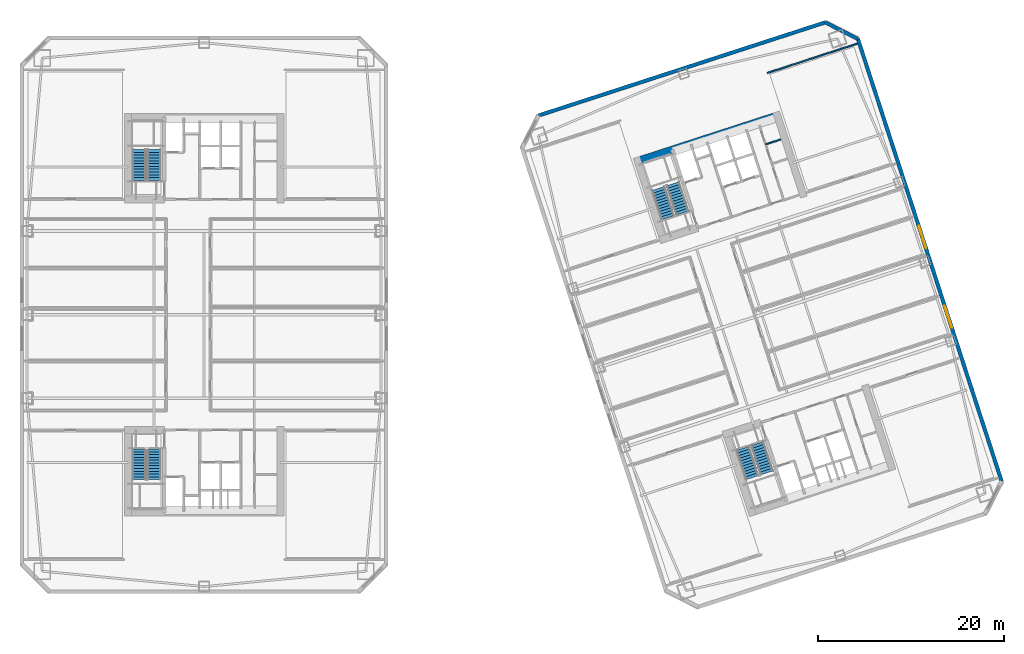
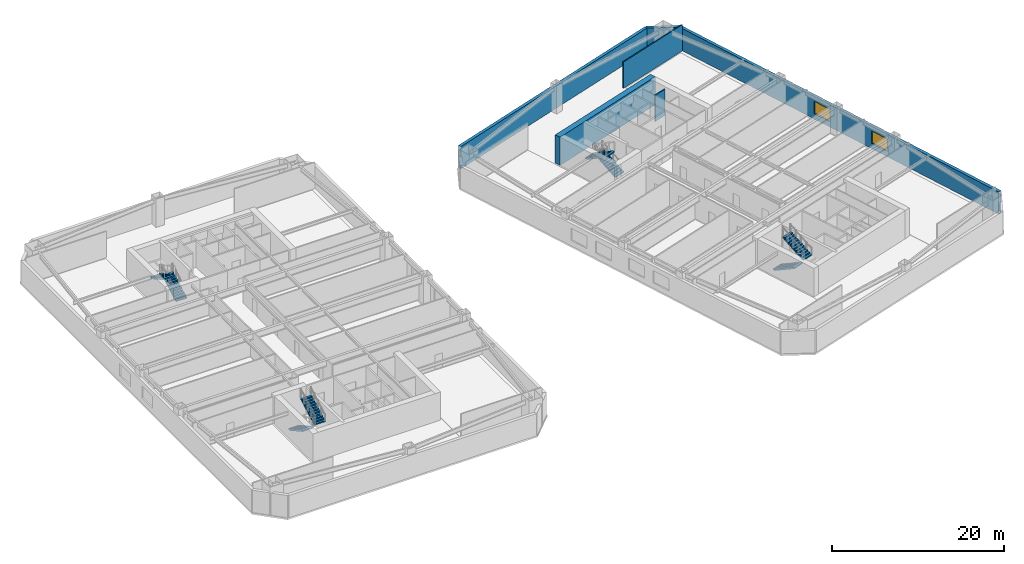
# One storey, part 15 of 24: 8 stair flights, 6 walls, 2 windows, 2 openings, 4 elements without a shape of their own.
"""IFC4 building model written with IfcOpenShell, lengths in metres."""

from ifc_helpers import new_model, si_unit, direction, frame, frame_2d, origin, place, context, subcontext, project, spatial, polyline, rectangle, outline, extrude, material, layer, layer_set, type_object, element, fill, aggregate, save


model = new_model("IFC4")

# Units and contexts
model_context = context("Model", 3, precision=1e-05, world=origin(), true_north=direction((0.0, 1.0)))
body_context = subcontext(model_context, "Body", "Model", "MODEL_VIEW")
ifc_project = project(units=[si_unit("LENGTHUNIT", "METRE"), si_unit("AREAUNIT", "SQUARE_METRE"), si_unit("VOLUMEUNIT", "CUBIC_METRE"), si_unit("PLANEANGLEUNIT", "RADIAN"), si_unit("MASSUNIT", "GRAM", prefix="KILO")], contexts=[model_context])

# Site, building, storey
site_placement = place(None, origin())
site = spatial("IfcSite", under=ifc_project, at=site_placement, CompositionType="ELEMENT")
building_placement = place(site_placement, origin())
building = spatial("IfcBuilding", under=site, at=building_placement, Name="Qiaolan Cultural Towers", CompositionType="ELEMENT")
storey_placement = place(building_placement, frame((0.0, 0.0, 30.0)))
storey = spatial("IfcBuildingStorey", under=building, at=storey_placement, Name="L06", CompositionType="ELEMENT", Elevation=30.0)

# Walls
ifc_material_1 = material(Name="Concrete C60", Category="concrete")
ifc_layer_1 = layer(ifc_material_1, 0.75)
ifc_layer_set_1 = layer_set([ifc_layer_1], Name="Concrete C60")
wall_type_1 = type_object("IfcWallType", Name="WL-CORE-750", PredefinedType="SHEAR", material=ifc_layer_set_1)
wall_1_placement = place(storey_placement, frame((76.27197265625, 50.442626953125, 0.0), z_axis=(0.0, 0.0, 1.0), x_axis=(0.951056072937, 0.309018358888, 0.0)))
element("IfcWall", 1, at=wall_1_placement, inside=storey, type_object=wall_type_1, Name="L06 T2-CN Outer Core Shear Wall", PredefinedType="SHEAR", context=body_context, shape_type="SweptSolid", body=[
    extrude(rectangle(XDim=16.550048828125, YDim=0.75, at=frame_2d((8.27490234375, 0.0))), origin(), (0.0, 0.0, 1.0), 4.0),
])
ifc_material_2 = material(Name="Precast Concrete C50 Honed Stone Pier", Category="masonry")
ifc_layer_2 = layer(ifc_material_2, 0.39990234375)
ifc_layer_set_2 = layer_set([ifc_layer_2], Name="Precast Concrete C50 Honed Stone Pier")
wall_type_2 = type_object("IfcWallType", Name="WL-EXT-PIER-400", PredefinedType="SOLIDWALL", material=ifc_layer_set_2)
wall_2_placement = place(storey_placement, frame((66.002197265625, 55.433349609375, 0.0), z_axis=(0.0, 0.0, 1.0), x_axis=(0.951055939317, 0.309018770125, 0.0)))
element("IfcWall", 2, at=wall_2_placement, inside=storey, type_object=wall_type_2, Name="L06 East Tower Precast Pier Facade Wall F3", PredefinedType="SOLIDWALL", context=body_context, shape_type="SweptSolid", body=[
    extrude(rectangle(XDim=32.39990234375, YDim=0.39990234375, at=frame_2d((16.199951171875, 0.0))), origin(), (0.0, 0.0, 1.0), 3.159912109375),
])
wall_3_placement = place(storey_placement, frame((96.81640625, 65.445556640625, 0.0), z_axis=(0.0, 0.0, 1.0), x_axis=(0.890998089617, -0.454007053137, 0.0)))
element("IfcWall", 3, at=wall_3_placement, inside=storey, type_object=wall_type_2, Name="L06 East Tower Precast Pier Facade Wall F4", PredefinedType="SOLIDWALL", context=body_context, shape_type="SweptSolid", body=[
    extrude(rectangle(XDim=3.9599609375, YDim=0.39990234375, at=frame_2d((1.97998046875, 0.0))), origin(), (0.0, 0.0, 1.0), 3.159912109375),
])

# Wall, openings, windows
wall_4_placement = place(storey_placement, frame((100.3447265625, 63.647705078125, 0.0), z_axis=(0.0, 0.0, 1.0), x_axis=(0.309014526607, -0.951057318118, 0.0)))
wall_4 = element("IfcWall", 4, at=wall_4_placement, inside=storey, type_object=wall_type_2, Name="L06 East Tower Precast Pier Facade Wall F5", PredefinedType="SOLIDWALL", context=body_context, shape_type="SweptSolid", body=[
    extrude(rectangle(XDim=49.999755859375, YDim=0.39990234375, at=frame_2d((25.0, 0.0))), origin(), (0.0, 0.0, 1.0), 3.159912109375),
])
opening_1_placement = place(wall_4_placement, frame((30.14990234375, 0.0, 0.75)))
opening_1 = element("IfcOpeningElement", 5, at=opening_1_placement, cuts=wall_4, Name="Opening W-01", PredefinedType="OPENING", context=body_context, shape_type="SweptSolid", body=[
    extrude(rectangle(XDim=2.5, YDim=1.75, at=frame_2d((1.25, 0.875))), frame((0.0, 0.2099609375, 0.0), z_axis=(0.0, -1.0, 0.0), x_axis=(1.0, 0.0, 0.0)), (0.0, 0.0, 1.0), 0.419921875),
])
opening_2_placement = place(wall_4_placement, frame((21.14990234375, 0.0, 0.75)))
opening_2 = element("IfcOpeningElement", 6, at=opening_2_placement, cuts=wall_4, Name="Opening W-01", PredefinedType="OPENING", context=body_context, shape_type="SweptSolid", body=[
    extrude(rectangle(XDim=2.5, YDim=1.75, at=frame_2d((1.25, 0.875))), frame((0.0, 0.2099609375, 0.0), z_axis=(0.0, -1.0, 0.0), x_axis=(1.0, 0.0, 0.0)), (0.0, 0.0, 1.0), 0.419921875),
])
ifc_material_3 = material(Name="Thermally Broken Aluminium Triple Low-E Glazing", Category="aluminium")
window_type = type_object("IfcWindowType", Name="WN-CHIC-2500", PartitioningType="SINGLE_PANEL", PredefinedType="WINDOW", material=ifc_material_3)
window_1_placement = place(opening_1_placement, origin())
window_1 = element("IfcWindow", 7, at=window_1_placement, inside=storey, type_object=window_type, Name="L06 T2 E Chicago Bay Window 1", OverallHeight=1.75, OverallWidth=2.5, PartitioningType="TRIPLE_PANEL_VERTICAL", PredefinedType="WINDOW", context=body_context, shape_type="SweptSolid", body=[
    extrude(rectangle(XDim=2.5, YDim=1.75, at=frame_2d((1.25, 0.875))), frame((0.0, 0.030029296875, 0.0), z_axis=(0.0, -1.0, 0.0), x_axis=(1.0, 0.0, 0.0)), (0.0, 0.0, 1.0), 0.06005859375),
])
fill(opening_1, window_1)
window_2_placement = place(opening_2_placement, origin())
window_2 = element("IfcWindow", 8, at=window_2_placement, inside=storey, type_object=window_type, Name="L06 T2 E Chicago Bay Window 2", OverallHeight=1.75, OverallWidth=2.5, PartitioningType="TRIPLE_PANEL_VERTICAL", PredefinedType="WINDOW", context=body_context, shape_type="SweptSolid", body=[
    extrude(rectangle(XDim=2.5, YDim=1.75, at=frame_2d((1.25, 0.875))), frame((0.0, 0.030029296875, 0.0), z_axis=(0.0, -1.0, 0.0), x_axis=(1.0, 0.0, 0.0)), (0.0, 0.0, 1.0), 0.06005859375),
])
fill(opening_2, window_2)

# Walls
ifc_material_4 = material(Name="Autoclaved Aerated Concrete Block B06", Category="concrete")
ifc_layer_3 = layer(ifc_material_4, 0.14990234375)
ifc_layer_set_3 = layer_set([ifc_layer_3], Name="Autoclaved Aerated Concrete Block B06")
wall_type_3 = type_object("IfcWallType", Name="WL-PART-150", PredefinedType="PARTITIONING", material=ifc_layer_set_3)
wall_5_placement = place(storey_placement, frame((90.407958984375, 52.32275390625, 0.0), z_axis=(0.0, 0.0, 1.0), x_axis=(0.951040401051, 0.309066587596, 0.0)))
element("IfcWall", 9, at=wall_5_placement, inside=storey, type_object=wall_type_3, Name="L06 T2-CN Restroom Split Wall 2", PredefinedType="PARTITIONING", context=body_context, shape_type="SweptSolid", body=[
    extrude(rectangle(XDim=1.699951171875, YDim=0.14990234375, at=frame_2d((0.85009765625, 0.0))), origin(), (0.0, 0.0, 1.0), 3.72509765625),
])
wall_6_placement = place(storey_placement, frame((90.5927734375, 60.006103515625, 0.0), z_axis=(0.0, 0.0, 1.0), x_axis=(0.951059043131, 0.309009217467, 0.0)))
element("IfcWall", 10, at=wall_6_placement, inside=storey, type_object=wall_type_3, Name="L06 T2 Flank Wall FLK-NE", PredefinedType="PARTITIONING", context=body_context, shape_type="SweptSolid", body=[
    extrude(rectangle(XDim=10.199951171875, YDim=0.14990234375, at=frame_2d((5.10009765625, 0.0))), origin(), (0.0, 0.0, 1.0), 3.72509765625),
])

# Stair, stair flights
ifc_material_5 = material(Name="Concrete C45", Category="concrete")
stair_type = type_object("IfcStairType", Name="STR-CORE-1500", PredefinedType="HALF_TURN_STAIR", material=ifc_material_5)
stair_1_placement = place(storey_placement, origin())
stair_1 = element("IfcStair", 11, at=stair_1_placement, inside=storey, type_object=stair_type, Name="L06 Smokeproof Exit Stair ST-W1", PredefinedType="HALF_TURN_STAIR")
ifc_material_6 = material(Name="Concrete C45", Category="concrete")
stair_flight_type = type_object("IfcStairFlightType", Name="STR-CORE-1500-FL", PredefinedType="STRAIGHT", material=ifc_material_6)
stair_flight_1_placement = place(storey_placement, frame((23.02001953125, 19.550048828125, 0.0), z_axis=(0.0, 0.0, 1.0), x_axis=(0.0, -1.0, 0.0)))
stair_flight_1 = element("IfcStairFlight", 12, at=stair_flight_1_placement, type_object=stair_flight_type, Name="ST-W1 flight 1", NumberOfRisers=12, NumberOfTreads=11, PredefinedType="STRAIGHT", RiserHeight=0.166666667, TreadLength=0.3, context=body_context, shape_type="SweptSolid", body=[
    extrude(outline(polyline([(0.0, 0.0), (0.0, 0.166748046875), (0.300048828125, 0.166748046875), (0.300048828125, 0.333251953125), (0.60009765625, 0.333251953125), (0.60009765625, 0.5), (0.89990234375, 0.5), (0.89990234375, 0.666748046875), (1.199951171875, 0.666748046875), (1.199951171875, 0.833251953125), (1.5, 0.833251953125), (1.5, 1.0), (1.800048828125, 1.0), (1.800048828125, 1.166748046875), (2.10009765625, 1.166748046875), (2.10009765625, 1.333251953125), (2.39990234375, 1.333251953125), (2.39990234375, 1.5), (2.699951171875, 1.5), (2.699951171875, 1.666748046875), (3.0, 1.666748046875), (3.0, 1.833251953125), (3.300048828125, 1.833251953125), (3.300048828125, 2.0), (3.300048828125, 1.661865234375), (0.30859375, 0.0), (0.0, 0.0)])), frame((0.0, 0.719970703125, 0.0), z_axis=(0.0, -1.0, 0.0), x_axis=(1.0, 0.0, 0.0)), (0.0, 0.0, 1.0), 1.43994140625),
])
stair_flight_2_placement = place(storey_placement, frame((24.659912109375, 16.25, 2.0), z_axis=(0.0, 0.0, 1.0), x_axis=(0.0, 1.0, 0.0)))
stair_flight_2 = element("IfcStairFlight", 13, at=stair_flight_2_placement, type_object=stair_flight_type, Name="ST-W1 flight 2", NumberOfRisers=12, NumberOfTreads=11, PredefinedType="STRAIGHT", RiserHeight=0.166666667, TreadLength=0.3, context=body_context, shape_type="SweptSolid", body=[
    extrude(outline(polyline([(0.0, 0.0), (0.0, 0.166748046875), (0.300048828125, 0.166748046875), (0.300048828125, 0.333251953125), (0.60009765625, 0.333251953125), (0.60009765625, 0.5), (0.89990234375, 0.5), (0.89990234375, 0.666748046875), (1.199951171875, 0.666748046875), (1.199951171875, 0.833251953125), (1.5, 0.833251953125), (1.5, 1.0), (1.800048828125, 1.0), (1.800048828125, 1.166748046875), (2.10009765625, 1.166748046875), (2.10009765625, 1.333251953125), (2.39990234375, 1.333251953125), (2.39990234375, 1.5), (2.699951171875, 1.5), (2.699951171875, 1.666748046875), (3.0, 1.666748046875), (3.0, 1.833251953125), (3.300048828125, 1.833251953125), (3.300048828125, 2.0), (3.300048828125, 1.661865234375), (0.30859375, 0.0), (0.0, 0.0)])), frame((0.0, 0.719970703125, 0.0), z_axis=(0.0, -1.0, 0.0), x_axis=(1.0, 0.0, 0.0)), (0.0, 0.0, 1.0), 1.43994140625),
])
aggregate(stair_1, [stair_flight_1, stair_flight_2])

stair_2_placement = place(storey_placement, origin())
stair_2 = element("IfcStair", 14, at=stair_2_placement, inside=storey, type_object=stair_type, Name="L06 Smokeproof Exit Stair ST-W2", PredefinedType="HALF_TURN_STAIR")
stair_flight_3_placement = place(storey_placement, frame((24.659912109375, 48.449951171875, 0.0), z_axis=(0.0, 0.0, 1.0), x_axis=(0.0, 1.0, 0.0)))
stair_flight_3 = element("IfcStairFlight", 15, at=stair_flight_3_placement, type_object=stair_flight_type, Name="ST-W2 flight 1", NumberOfRisers=12, NumberOfTreads=11, PredefinedType="STRAIGHT", RiserHeight=0.166666667, TreadLength=0.3, context=body_context, shape_type="SweptSolid", body=[
    extrude(outline(polyline([(0.0, 0.0), (0.0, 0.166748046875), (0.300048828125, 0.166748046875), (0.300048828125, 0.333251953125), (0.60009765625, 0.333251953125), (0.60009765625, 0.5), (0.89990234375, 0.5), (0.89990234375, 0.666748046875), (1.199951171875, 0.666748046875), (1.199951171875, 0.833251953125), (1.5, 0.833251953125), (1.5, 1.0), (1.800048828125, 1.0), (1.800048828125, 1.166748046875), (2.10009765625, 1.166748046875), (2.10009765625, 1.333251953125), (2.39990234375, 1.333251953125), (2.39990234375, 1.5), (2.699951171875, 1.5), (2.699951171875, 1.666748046875), (3.0, 1.666748046875), (3.0, 1.833251953125), (3.300048828125, 1.833251953125), (3.300048828125, 2.0), (3.300048828125, 1.661865234375), (0.30859375, 0.0), (0.0, 0.0)])), frame((0.0, 0.719970703125, 0.0), z_axis=(0.0, -1.0, 0.0), x_axis=(1.0, 0.0, 0.0)), (0.0, 0.0, 1.0), 1.43994140625),
])
stair_flight_4_placement = place(storey_placement, frame((23.02001953125, 51.75, 2.0), z_axis=(0.0, 0.0, 1.0), x_axis=(0.0, -1.0, 0.0)))
stair_flight_4 = element("IfcStairFlight", 16, at=stair_flight_4_placement, type_object=stair_flight_type, Name="ST-W2 flight 2", NumberOfRisers=12, NumberOfTreads=11, PredefinedType="STRAIGHT", RiserHeight=0.166666667, TreadLength=0.3, context=body_context, shape_type="SweptSolid", body=[
    extrude(outline(polyline([(0.0, 0.0), (0.0, 0.166748046875), (0.300048828125, 0.166748046875), (0.300048828125, 0.333251953125), (0.60009765625, 0.333251953125), (0.60009765625, 0.5), (0.89990234375, 0.5), (0.89990234375, 0.666748046875), (1.199951171875, 0.666748046875), (1.199951171875, 0.833251953125), (1.5, 0.833251953125), (1.5, 1.0), (1.800048828125, 1.0), (1.800048828125, 1.166748046875), (2.10009765625, 1.166748046875), (2.10009765625, 1.333251953125), (2.39990234375, 1.333251953125), (2.39990234375, 1.5), (2.699951171875, 1.5), (2.699951171875, 1.666748046875), (3.0, 1.666748046875), (3.0, 1.833251953125), (3.300048828125, 1.833251953125), (3.300048828125, 2.0), (3.300048828125, 1.661865234375), (0.30859375, 0.0), (0.0, 0.0)])), frame((0.0, 0.719970703125, 0.0), z_axis=(0.0, -1.0, 0.0), x_axis=(1.0, 0.0, 0.0)), (0.0, 0.0, 1.0), 1.43994140625),
])
aggregate(stair_2, [stair_flight_3, stair_flight_4])

stair_3_placement = place(storey_placement, origin())
stair_3 = element("IfcStair", 17, at=stair_3_placement, inside=storey, type_object=stair_type, Name="L06 Smokeproof Exit Stair ST-E1", PredefinedType="HALF_TURN_STAIR")
stair_flight_5_placement = place(storey_placement, frame((87.96484375, 19.6171875, 0.0), z_axis=(0.0, 0.0, 1.0), x_axis=(0.309016994375, -0.951056516295, 0.0)))
stair_flight_5 = element("IfcStairFlight", 18, at=stair_flight_5_placement, type_object=stair_flight_type, Name="ST-E1 flight 1", NumberOfRisers=12, NumberOfTreads=11, PredefinedType="STRAIGHT", RiserHeight=0.166666667, TreadLength=0.3, context=body_context, shape_type="SweptSolid", body=[
    extrude(outline(polyline([(0.0, 0.0), (0.0, 0.166748046875), (0.300048828125, 0.166748046875), (0.300048828125, 0.333251953125), (0.60009765625, 0.333251953125), (0.60009765625, 0.5), (0.89990234375, 0.5), (0.89990234375, 0.666748046875), (1.199951171875, 0.666748046875), (1.199951171875, 0.833251953125), (1.5, 0.833251953125), (1.5, 1.0), (1.800048828125, 1.0), (1.800048828125, 1.166748046875), (2.10009765625, 1.166748046875), (2.10009765625, 1.333251953125), (2.39990234375, 1.333251953125), (2.39990234375, 1.5), (2.699951171875, 1.5), (2.699951171875, 1.666748046875), (3.0, 1.666748046875), (3.0, 1.833251953125), (3.300048828125, 1.833251953125), (3.300048828125, 2.0), (3.300048828125, 1.661865234375), (0.30859375, 0.0), (0.0, 0.0)])), frame((0.0, 0.719970703125, 0.0), z_axis=(0.0, -1.0, 0.0), x_axis=(1.0, 0.0, 0.0)), (0.0, 0.0, 1.0), 1.43994140625),
])
stair_flight_6_placement = place(storey_placement, frame((90.54443359375, 16.985595703125, 2.0), z_axis=(0.0, 0.0, 1.0), x_axis=(-0.309016994375, 0.951056516295, 0.0)))
stair_flight_6 = element("IfcStairFlight", 19, at=stair_flight_6_placement, type_object=stair_flight_type, Name="ST-E1 flight 2", NumberOfRisers=12, NumberOfTreads=11, PredefinedType="STRAIGHT", RiserHeight=0.166666667, TreadLength=0.3, context=body_context, shape_type="SweptSolid", body=[
    extrude(outline(polyline([(0.0, 0.0), (0.0, 0.166748046875), (0.300048828125, 0.166748046875), (0.300048828125, 0.333251953125), (0.60009765625, 0.333251953125), (0.60009765625, 0.5), (0.89990234375, 0.5), (0.89990234375, 0.666748046875), (1.199951171875, 0.666748046875), (1.199951171875, 0.833251953125), (1.5, 0.833251953125), (1.5, 1.0), (1.800048828125, 1.0), (1.800048828125, 1.166748046875), (2.10009765625, 1.166748046875), (2.10009765625, 1.333251953125), (2.39990234375, 1.333251953125), (2.39990234375, 1.5), (2.699951171875, 1.5), (2.699951171875, 1.666748046875), (3.0, 1.666748046875), (3.0, 1.833251953125), (3.300048828125, 1.833251953125), (3.300048828125, 2.0), (3.300048828125, 1.661865234375), (0.30859375, 0.0), (0.0, 0.0)])), frame((0.0, 0.719970703125, 0.0), z_axis=(0.0, -1.0, 0.0), x_axis=(1.0, 0.0, 0.0)), (0.0, 0.0, 1.0), 1.43994140625),
])
aggregate(stair_3, [stair_flight_5, stair_flight_6])

stair_4_placement = place(storey_placement, origin())
stair_4 = element("IfcStair", 20, at=stair_4_placement, inside=storey, type_object=stair_type, Name="L06 Smokeproof Exit Stair ST-E2", PredefinedType="HALF_TURN_STAIR")
stair_flight_7_placement = place(storey_placement, frame((81.459228515625, 44.946533203125, 0.0), z_axis=(0.0, 0.0, 1.0), x_axis=(-0.309016994375, 0.951056516295, 0.0)))
stair_flight_7 = element("IfcStairFlight", 21, at=stair_flight_7_placement, type_object=stair_flight_type, Name="ST-E2 flight 1", NumberOfRisers=12, NumberOfTreads=11, PredefinedType="STRAIGHT", RiserHeight=0.166666667, TreadLength=0.3, context=body_context, shape_type="SweptSolid", body=[
    extrude(outline(polyline([(0.0, 0.0), (0.0, 0.166748046875), (0.300048828125, 0.166748046875), (0.300048828125, 0.333251953125), (0.60009765625, 0.333251953125), (0.60009765625, 0.5), (0.89990234375, 0.5), (0.89990234375, 0.666748046875), (1.199951171875, 0.666748046875), (1.199951171875, 0.833251953125), (1.5, 0.833251953125), (1.5, 1.0), (1.800048828125, 1.0), (1.800048828125, 1.166748046875), (2.10009765625, 1.166748046875), (2.10009765625, 1.333251953125), (2.39990234375, 1.333251953125), (2.39990234375, 1.5), (2.699951171875, 1.5), (2.699951171875, 1.666748046875), (3.0, 1.666748046875), (3.0, 1.833251953125), (3.300048828125, 1.833251953125), (3.300048828125, 2.0), (3.300048828125, 1.661865234375), (0.30859375, 0.0), (0.0, 0.0)])), frame((0.0, 0.719970703125, 0.0), z_axis=(0.0, -1.0, 0.0), x_axis=(1.0, 0.0, 0.0)), (0.0, 0.0, 1.0), 1.43994140625),
])
stair_flight_8_placement = place(storey_placement, frame((78.8798828125, 47.578125, 2.0), z_axis=(0.0, 0.0, 1.0), x_axis=(0.309016994375, -0.951056516295, 0.0)))
stair_flight_8 = element("IfcStairFlight", 22, at=stair_flight_8_placement, type_object=stair_flight_type, Name="ST-E2 flight 2", NumberOfRisers=12, NumberOfTreads=11, PredefinedType="STRAIGHT", RiserHeight=0.166666667, TreadLength=0.3, context=body_context, shape_type="SweptSolid", body=[
    extrude(outline(polyline([(0.0, 0.0), (0.0, 0.166748046875), (0.300048828125, 0.166748046875), (0.300048828125, 0.333251953125), (0.60009765625, 0.333251953125), (0.60009765625, 0.5), (0.89990234375, 0.5), (0.89990234375, 0.666748046875), (1.199951171875, 0.666748046875), (1.199951171875, 0.833251953125), (1.5, 0.833251953125), (1.5, 1.0), (1.800048828125, 1.0), (1.800048828125, 1.166748046875), (2.10009765625, 1.166748046875), (2.10009765625, 1.333251953125), (2.39990234375, 1.333251953125), (2.39990234375, 1.5), (2.699951171875, 1.5), (2.699951171875, 1.666748046875), (3.0, 1.666748046875), (3.0, 1.833251953125), (3.300048828125, 1.833251953125), (3.300048828125, 2.0), (3.300048828125, 1.661865234375), (0.30859375, 0.0), (0.0, 0.0)])), frame((0.0, 0.719970703125, 0.0), z_axis=(0.0, -1.0, 0.0), x_axis=(1.0, 0.0, 0.0)), (0.0, 0.0, 1.0), 1.43994140625),
])
aggregate(stair_4, [stair_flight_7, stair_flight_8])

save(model, "model.ifc")
